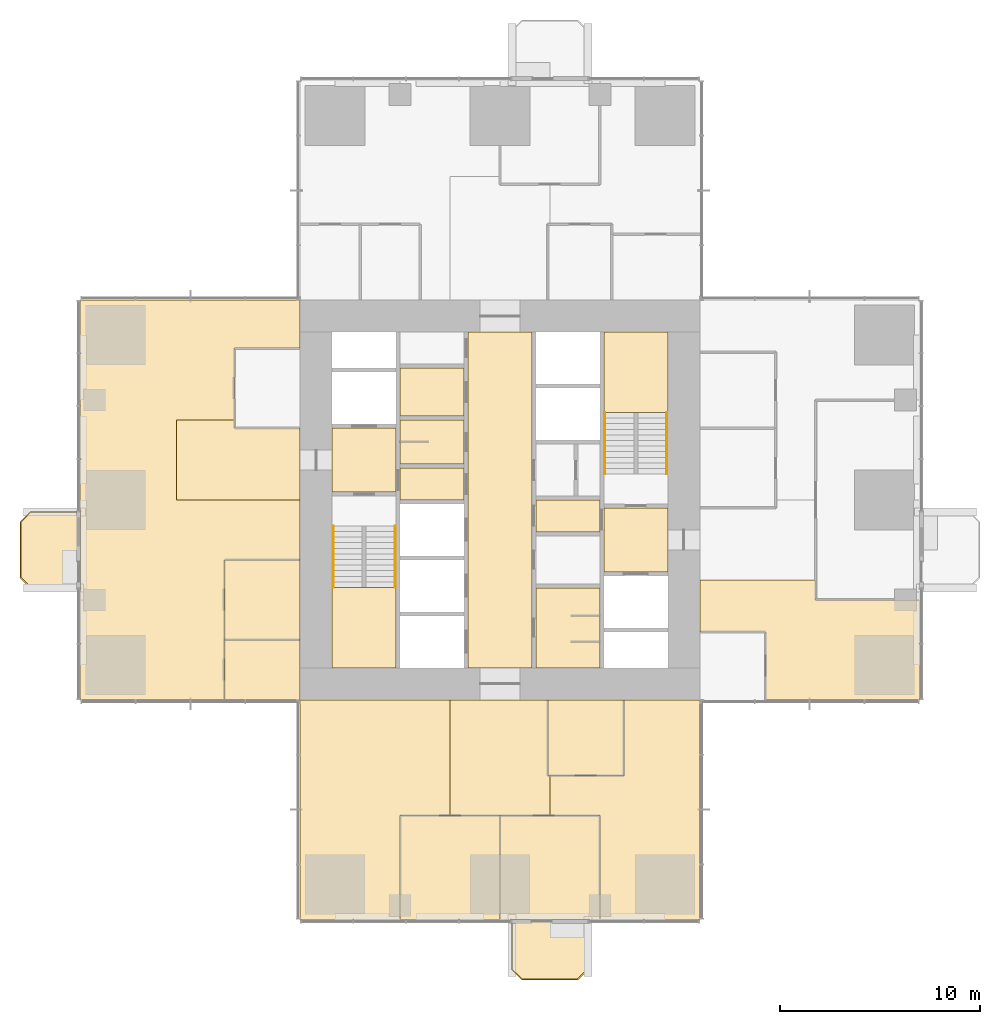
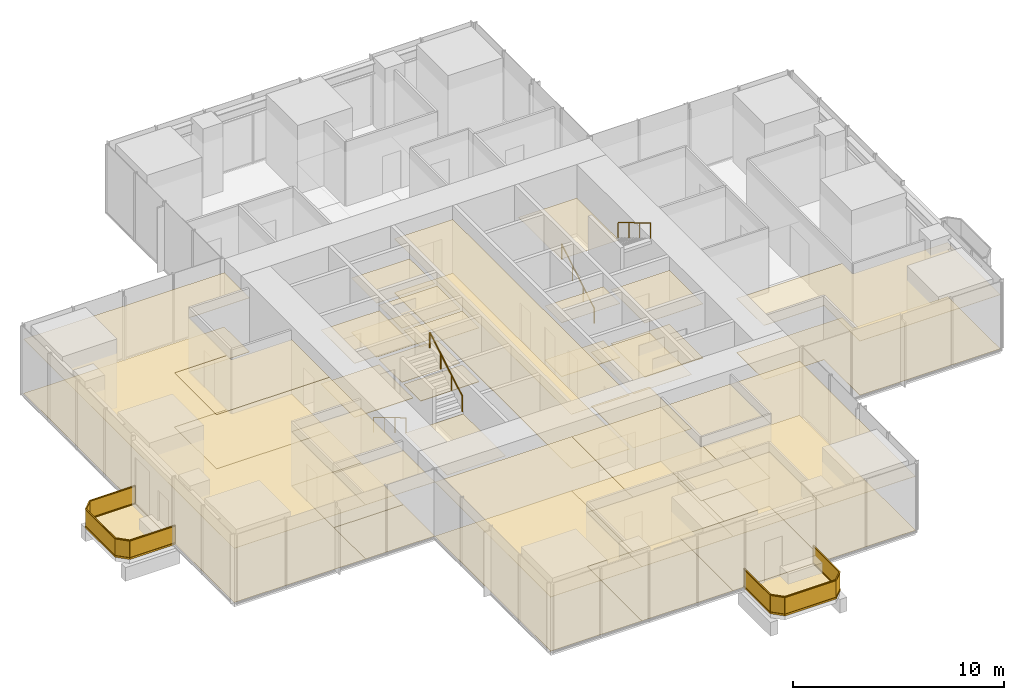
# One storey, part 11 of 13: 42 coverings, 6 railings.
"""IFC4 building model written with IfcOpenShell, lengths in metres."""

from ifc_helpers import new_model, si_unit, direction, frame, origin, origin_2d, place, context, subcontext, project, spatial, polyline, rectangle, circle, outline, extrude, material, layer, layer_set, type_object, element, save


model = new_model("IFC4")

# Units and contexts
model_context = context("Model", 3, precision=1e-05, world=origin(), true_north=direction((0.0, 1.0)))
body_context = subcontext(model_context, "Body", "Model", "MODEL_VIEW")
ifc_project = project(units=[si_unit("LENGTHUNIT", "METRE"), si_unit("AREAUNIT", "SQUARE_METRE"), si_unit("VOLUMEUNIT", "CUBIC_METRE"), si_unit("PLANEANGLEUNIT", "RADIAN"), si_unit("MASSUNIT", "GRAM", prefix="KILO")], contexts=[model_context])

# Site, building, storey
site_placement = place(None, origin())
site = spatial("IfcSite", under=ifc_project, at=site_placement, CompositionType="ELEMENT")
building_placement = place(site_placement, origin())
building = spatial("IfcBuilding", under=site, at=building_placement, Name="Svetlomir Tower", CompositionType="ELEMENT")
storey_placement = place(building_placement, frame((0.0, 0.0, 152.5)))
storey = spatial("IfcBuildingStorey", under=building, at=storey_placement, Name="L36", CompositionType="ELEMENT", Elevation=152.5)

# Railings
ifc_material_1 = material(Name="Bronze anodised aluminium and laminated glass", Category="aluminium")
railing_type_1 = type_object("IfcRailingType", Name="BALCONY GUARD GR1 1100", PredefinedType="GUARDRAIL", material=ifc_material_1)
railing_1_placement = place(storey_placement, frame((21.60009765625, 0.0, 0.0)))
element("IfcRailing", 1, at=railing_1_placement, inside=storey, type_object=railing_type_1, Name="Balcony guard S L36", PredefinedType="GUARDRAIL", context=body_context, shape_type="SweptSolid", body=[
    extrude(rectangle(XDim=0.06005859375, YDim=0.10009765625, at=origin_2d()), frame((0.0, 0.0, 0.050048828125), z_axis=(0.0, -1.0, 0.0), x_axis=(1.0, 0.0, 0.0)), (0.0, 0.0, 1.0), 2.5),
    extrude(rectangle(XDim=0.021484375, YDim=0.960205078125, at=origin_2d()), frame((0.0, 0.0, 0.580078125), z_axis=(0.0, -1.0, 0.0), x_axis=(1.0, 0.0, 0.0)), (0.0, 0.0, 1.0), 2.5),
    extrude(rectangle(XDim=0.06005859375, YDim=0.0400390625, at=origin_2d()), frame((0.0, 0.0, 1.080078125), z_axis=(0.0, -1.0, 0.0), x_axis=(1.0, 0.0, 0.0)), (0.0, 0.0, 1.0), 2.5),
    extrude(rectangle(XDim=0.06005859375, YDim=0.10009765625, at=origin_2d()), frame((0.0, -2.5, 0.050048828125), z_axis=(0.707106781187, -0.707106781187, 0.0), x_axis=(0.707106781187, 0.707106781187, 0.0)), (0.0, 0.0, 1.0), 0.70703125),
    extrude(rectangle(XDim=0.021484375, YDim=0.960205078125, at=origin_2d()), frame((0.0, -2.5, 0.580078125), z_axis=(0.707106781187, -0.707106781187, 0.0), x_axis=(0.707106781187, 0.707106781187, 0.0)), (0.0, 0.0, 1.0), 0.70703125),
    extrude(rectangle(XDim=0.06005859375, YDim=0.0400390625, at=origin_2d()), frame((0.0, -2.5, 1.080078125), z_axis=(0.707106781187, -0.707106781187, 0.0), x_axis=(0.707106781187, 0.707106781187, 0.0)), (0.0, 0.0, 1.0), 0.70703125),
    extrude(rectangle(XDim=0.06005859375, YDim=0.10009765625, at=origin_2d()), frame((0.5, -3.0, 0.050048828125), z_axis=(1.0, 0.0, 0.0), x_axis=(0.0, 1.0, 0.0)), (0.0, 0.0, 1.0), 2.7998046875),
    extrude(rectangle(XDim=0.021484375, YDim=0.960205078125, at=origin_2d()), frame((0.5, -3.0, 0.580078125), z_axis=(1.0, 0.0, 0.0), x_axis=(0.0, 1.0, 0.0)), (0.0, 0.0, 1.0), 2.7998046875),
    extrude(rectangle(XDim=0.06005859375, YDim=0.0400390625, at=origin_2d()), frame((0.5, -3.0, 1.080078125), z_axis=(1.0, 0.0, 0.0), x_axis=(0.0, 1.0, 0.0)), (0.0, 0.0, 1.0), 2.7998046875),
    extrude(rectangle(XDim=0.06005859375, YDim=0.10009765625, at=origin_2d()), frame((3.2998046875, -3.0, 0.050048828125), z_axis=(0.707106781187, 0.707106781187, 0.0), x_axis=(-0.707106781187, 0.707106781187, 0.0)), (0.0, 0.0, 1.0), 0.70703125),
    extrude(rectangle(XDim=0.021484375, YDim=0.960205078125, at=origin_2d()), frame((3.2998046875, -3.0, 0.580078125), z_axis=(0.707106781187, 0.707106781187, 0.0), x_axis=(-0.707106781187, 0.707106781187, 0.0)), (0.0, 0.0, 1.0), 0.70703125),
    extrude(rectangle(XDim=0.06005859375, YDim=0.0400390625, at=origin_2d()), frame((3.2998046875, -3.0, 1.080078125), z_axis=(0.707106781187, 0.707106781187, 0.0), x_axis=(-0.707106781187, 0.707106781187, 0.0)), (0.0, 0.0, 1.0), 0.70703125),
    extrude(rectangle(XDim=0.06005859375, YDim=0.10009765625, at=origin_2d()), frame((3.7998046875, -2.5, 0.050048828125), z_axis=(0.0, 1.0, 0.0), x_axis=(-1.0, 0.0, 0.0)), (0.0, 0.0, 1.0), 2.5),
    extrude(rectangle(XDim=0.021484375, YDim=0.960205078125, at=origin_2d()), frame((3.7998046875, -2.5, 0.580078125), z_axis=(0.0, 1.0, 0.0), x_axis=(-1.0, 0.0, 0.0)), (0.0, 0.0, 1.0), 2.5),
    extrude(rectangle(XDim=0.06005859375, YDim=0.0400390625, at=origin_2d()), frame((3.7998046875, -2.5, 1.080078125), z_axis=(0.0, 1.0, 0.0), x_axis=(-1.0, 0.0, 0.0)), (0.0, 0.0, 1.0), 2.5),
])
railing_2_placement = place(storey_placement, frame((0.0, 20.39990234375, 0.0)))
element("IfcRailing", 2, at=railing_2_placement, inside=storey, type_object=railing_type_1, Name="Balcony guard W L36", PredefinedType="GUARDRAIL", context=body_context, shape_type="SweptSolid", body=[
    extrude(rectangle(XDim=0.06005859375, YDim=0.10009765625, at=origin_2d()), frame((0.0, 0.0, 0.050048828125), z_axis=(-1.0, 0.0, 0.0), x_axis=(0.0, -1.0, 0.0)), (0.0, 0.0, 1.0), 2.5),
    extrude(rectangle(XDim=0.021484375, YDim=0.960205078125, at=origin_2d()), frame((0.0, 0.0, 0.580078125), z_axis=(-1.0, 0.0, 0.0), x_axis=(0.0, -1.0, 0.0)), (0.0, 0.0, 1.0), 2.5),
    extrude(rectangle(XDim=0.06005859375, YDim=0.0400390625, at=origin_2d()), frame((0.0, 0.0, 1.080078125), z_axis=(-1.0, 0.0, 0.0), x_axis=(0.0, -1.0, 0.0)), (0.0, 0.0, 1.0), 2.5),
    extrude(rectangle(XDim=0.06005859375, YDim=0.10009765625, at=origin_2d()), frame((-2.5, 0.0, 0.050048828125), z_axis=(-0.707106781187, -0.707106781187, 0.0), x_axis=(0.707106781187, -0.707106781187, 0.0)), (0.0, 0.0, 1.0), 0.70703125),
    extrude(rectangle(XDim=0.021484375, YDim=0.960205078125, at=origin_2d()), frame((-2.5, 0.0, 0.580078125), z_axis=(-0.707106781187, -0.707106781187, 0.0), x_axis=(0.707106781187, -0.707106781187, 0.0)), (0.0, 0.0, 1.0), 0.70703125),
    extrude(rectangle(XDim=0.06005859375, YDim=0.0400390625, at=origin_2d()), frame((-2.5, 0.0, 1.080078125), z_axis=(-0.707106781187, -0.707106781187, 0.0), x_axis=(0.707106781187, -0.707106781187, 0.0)), (0.0, 0.0, 1.0), 0.70703125),
    extrude(rectangle(XDim=0.06005859375, YDim=0.10009765625, at=origin_2d()), frame((-3.0, -0.5, 0.050048828125), z_axis=(0.0, -1.0, 0.0), x_axis=(1.0, 0.0, 0.0)), (0.0, 0.0, 1.0), 2.7998046875),
    extrude(rectangle(XDim=0.021484375, YDim=0.960205078125, at=origin_2d()), frame((-3.0, -0.5, 0.580078125), z_axis=(0.0, -1.0, 0.0), x_axis=(1.0, 0.0, 0.0)), (0.0, 0.0, 1.0), 2.7998046875),
    extrude(rectangle(XDim=0.06005859375, YDim=0.0400390625, at=origin_2d()), frame((-3.0, -0.5, 1.080078125), z_axis=(0.0, -1.0, 0.0), x_axis=(1.0, 0.0, 0.0)), (0.0, 0.0, 1.0), 2.7998046875),
    extrude(rectangle(XDim=0.06005859375, YDim=0.10009765625, at=origin_2d()), frame((-3.0, -3.2998046875, 0.050048828125), z_axis=(0.707106781187, -0.707106781187, 0.0), x_axis=(0.707106781187, 0.707106781187, 0.0)), (0.0, 0.0, 1.0), 0.70703125),
    extrude(rectangle(XDim=0.021484375, YDim=0.960205078125, at=origin_2d()), frame((-3.0, -3.2998046875, 0.580078125), z_axis=(0.707106781187, -0.707106781187, 0.0), x_axis=(0.707106781187, 0.707106781187, 0.0)), (0.0, 0.0, 1.0), 0.70703125),
    extrude(rectangle(XDim=0.06005859375, YDim=0.0400390625, at=origin_2d()), frame((-3.0, -3.2998046875, 1.080078125), z_axis=(0.707106781187, -0.707106781187, 0.0), x_axis=(0.707106781187, 0.707106781187, 0.0)), (0.0, 0.0, 1.0), 0.70703125),
    extrude(rectangle(XDim=0.06005859375, YDim=0.10009765625, at=origin_2d()), frame((-2.5, -3.7998046875, 0.050048828125), z_axis=(1.0, 0.0, 0.0), x_axis=(0.0, 1.0, 0.0)), (0.0, 0.0, 1.0), 2.5),
    extrude(rectangle(XDim=0.021484375, YDim=0.960205078125, at=origin_2d()), frame((-2.5, -3.7998046875, 0.580078125), z_axis=(1.0, 0.0, 0.0), x_axis=(0.0, 1.0, 0.0)), (0.0, 0.0, 1.0), 2.5),
    extrude(rectangle(XDim=0.06005859375, YDim=0.0400390625, at=origin_2d()), frame((-2.5, -3.7998046875, 1.080078125), z_axis=(1.0, 0.0, 0.0), x_axis=(0.0, 1.0, 0.0)), (0.0, 0.0, 1.0), 2.5),
])

# Coverings
ifc_material_2 = material(Name="Granite paving slabs on pedestals", Category="masonry")
ifc_layer_1 = layer(ifc_material_2, 0.0400390625)
ifc_layer_set_1 = layer_set([ifc_layer_1], Name="Granite paving slabs on pedestals")
covering_type_1 = type_object("IfcCoveringType", Name="BALCONY PAVING 40", PredefinedType="USERDEFINED", material=ifc_layer_set_1)
covering_1_placement = place(storey_placement, origin())
element("IfcCovering", 3, at=covering_1_placement, inside=storey, type_object=covering_type_1, Name="Balcony paving S L36", ObjectType="BALCONY PAVING", PredefinedType="USERDEFINED", context=body_context, shape_type="SweptSolid", body=[
    extrude(outline(polyline([(21.60009765625, -2.5), (22.10009765625, -3.0), (24.89990234375, -3.0), (25.39990234375, -2.5), (25.39990234375, 0.0), (21.60009765625, 0.0), (21.60009765625, -2.5)])), origin(), (0.0, 0.0, 1.0), 0.0400390625),
])
covering_2_placement = place(storey_placement, origin())
element("IfcCovering", 4, at=covering_2_placement, inside=storey, type_object=covering_type_1, Name="Balcony paving W L36", ObjectType="BALCONY PAVING", PredefinedType="USERDEFINED", context=body_context, shape_type="SweptSolid", body=[
    extrude(outline(polyline([(-2.5, 16.60009765625), (0.0, 16.60009765625), (0.0, 20.39990234375), (-2.5, 20.39990234375), (-3.0, 19.89990234375), (-3.0, 17.10009765625), (-2.5, 16.60009765625)])), origin(), (0.0, 0.0, 1.0), 0.0400390625),
])
ifc_material_3 = material(Name="Carpet tile", Category="textile")
ifc_layer_2 = layer(ifc_material_3, 0.010009765625)
ifc_layer_set_2 = layer_set([ifc_layer_2], Name="Carpet tile")
covering_type_2 = type_object("IfcCoveringType", Name="CARPET TILE FLOOR 10", PredefinedType="FLOORING", material=ifc_layer_set_2)
covering_3_placement = place(storey_placement, origin())
element("IfcCovering", 5, at=covering_3_placement, inside=storey, type_object=covering_type_2, Name="Floor finish L36-15", PredefinedType="FLOORING", context=body_context, shape_type="SweptSolid", body=[
    extrude(outline(polyline([(23.39990234375, 7.199951171875), (27.199951171875, 7.199951171875), (27.199951171875, 11.0), (23.39990234375, 11.0), (23.39990234375, 7.199951171875)])), origin(), (0.0, 0.0, 1.0), 0.010009765625),
])
covering_4_placement = place(storey_placement, origin())
element("IfcCovering", 6, at=covering_4_placement, inside=storey, type_object=covering_type_2, Name="Floor finish L36-16", PredefinedType="FLOORING", context=body_context, shape_type="SweptSolid", body=[
    extrude(outline(polyline([(16.0, 0.0), (21.0, 0.0), (21.0, 5.199951171875), (16.0, 5.199951171875), (16.0, 0.0)])), origin(), (0.0, 0.0, 1.0), 0.010009765625),
])
covering_5_placement = place(storey_placement, origin())
element("IfcCovering", 7, at=covering_5_placement, inside=storey, type_object=covering_type_2, Name="Floor finish L36-17", PredefinedType="FLOORING", context=body_context, shape_type="SweptSolid", body=[
    extrude(outline(polyline([(21.0, 0.0), (26.0, 0.0), (26.0, 5.199951171875), (21.0, 5.199951171875), (21.0, 0.0)])), origin(), (0.0, 0.0, 1.0), 0.010009765625),
])
covering_6_placement = place(storey_placement, origin())
element("IfcCovering", 8, at=covering_6_placement, inside=storey, type_object=covering_type_2, Name="Floor finish L36-27", PredefinedType="FLOORING", context=body_context, shape_type="SweptSolid", body=[
    extrude(outline(polyline([(7.199951171875, 11.0), (11.0, 11.0), (11.0, 14.0), (7.199951171875, 14.0), (7.199951171875, 11.0)])), origin(), (0.0, 0.0, 1.0), 0.010009765625),
])
covering_7_placement = place(storey_placement, origin())
element("IfcCovering", 9, at=covering_7_placement, inside=storey, type_object=covering_type_2, Name="Floor finish L36-28", PredefinedType="FLOORING", context=body_context, shape_type="SweptSolid", body=[
    extrude(outline(polyline([(7.199951171875, 14.0), (11.0, 14.0), (11.0, 18.0), (7.199951171875, 18.0), (7.199951171875, 14.0)])), origin(), (0.0, 0.0, 1.0), 0.010009765625),
])
covering_8_placement = place(storey_placement, origin())
element("IfcCovering", 10, at=covering_8_placement, inside=storey, type_object=covering_type_2, Name="Floor finish L36-30", PredefinedType="FLOORING", context=body_context, shape_type="SweptSolid", body=[
    extrude(outline(polyline([(23.39990234375, 11.0), (23.39990234375, 7.199951171875), (23.5, 7.199951171875), (23.5, 5.199951171875), (18.5, 5.199951171875), (18.5, 11.0), (23.39990234375, 11.0)])), origin(), (0.0, 0.0, 1.0), 0.010009765625),
])
covering_9_placement = place(storey_placement, origin())
element("IfcCovering", 11, at=covering_9_placement, inside=storey, type_object=covering_type_2, Name="Floor finish L36-33", PredefinedType="FLOORING", context=body_context, shape_type="SweptSolid", body=[
    extrude(outline(polyline([(7.699951171875, 24.60009765625), (11.0, 24.60009765625), (11.0, 21.0), (4.800048828125, 21.0), (4.800048828125, 25.0), (7.699951171875, 25.0), (7.699951171875, 24.60009765625)])), origin(), (0.0, 0.0, 1.0), 0.010009765625),
])
covering_10_placement = place(storey_placement, origin())
element("IfcCovering", 12, at=covering_10_placement, inside=storey, type_object=covering_type_2, Name="Floor finish L36-34", PredefinedType="FLOORING", context=body_context, shape_type="SweptSolid", body=[
    extrude(outline(polyline([(18.5, 11.0), (18.5, 5.199951171875), (16.0, 5.199951171875), (16.0, 0.0), (11.0, 0.0), (11.0, 11.0), (18.5, 11.0)])), origin(), (0.0, 0.0, 1.0), 0.010009765625),
])
covering_11_placement = place(storey_placement, origin())
element("IfcCovering", 13, at=covering_11_placement, inside=storey, type_object=covering_type_2, Name="Floor finish L36-35", PredefinedType="FLOORING", context=body_context, shape_type="SweptSolid", body=[
    extrude(outline(polyline([(27.199951171875, 11.0), (31.0, 11.0), (31.0, 0.0), (26.0, 0.0), (26.0, 5.199951171875), (23.5, 5.199951171875), (23.5, 7.199951171875), (27.199951171875, 7.199951171875), (27.199951171875, 11.0)])), origin(), (0.0, 0.0, 1.0), 0.010009765625),
])
covering_12_placement = place(storey_placement, origin())
element("IfcCovering", 14, at=covering_12_placement, inside=storey, type_object=covering_type_2, Name="Floor finish L36-36", PredefinedType="FLOORING", context=body_context, shape_type="SweptSolid", body=[
    extrude(outline(polyline([(34.300048828125, 14.39990234375), (31.0, 14.39990234375), (31.0, 17.0), (36.800048828125, 17.0), (36.800048828125, 16.0), (42.0, 16.0), (42.0, 11.0), (34.300048828125, 11.0), (34.300048828125, 14.39990234375)])), origin(), (0.0, 0.0, 1.0), 0.010009765625),
])
covering_13_placement = place(storey_placement, origin())
element("IfcCovering", 15, at=covering_13_placement, inside=storey, type_object=covering_type_2, Name="Floor finish L36-40", PredefinedType="FLOORING", context=body_context, shape_type="SweptSolid", body=[
    extrude(outline(polyline([(11.0, 31.0), (11.0, 28.60009765625), (7.699951171875, 28.60009765625), (7.699951171875, 25.0), (4.800048828125, 25.0), (4.800048828125, 21.0), (11.0, 21.0), (11.0, 18.0), (7.199951171875, 18.0), (7.199951171875, 11.0), (0.0, 11.0), (0.0, 31.0), (11.0, 31.0)])), origin(), (0.0, 0.0, 1.0), 0.010009765625),
])
ifc_material_4 = material(Name="Ceramic floor tile", Category="ceramic")
ifc_layer_3 = layer(ifc_material_4, 0.014892578125)
ifc_layer_set_3 = layer_set([ifc_layer_3], Name="Ceramic floor tile")
covering_type_3 = type_object("IfcCoveringType", Name="CERAMIC TILE FLOOR 15", PredefinedType="FLOORING", material=ifc_layer_set_3)
covering_14_placement = place(storey_placement, origin())
element("IfcCovering", 16, at=covering_14_placement, inside=storey, type_object=covering_type_3, Name="Floor finish L36-04", PredefinedType="FLOORING", context=body_context, shape_type="SweptSolid", body=[
    extrude(outline(polyline([(16.0, 22.800048828125), (19.199951171875, 22.800048828125), (19.199951171875, 25.0), (16.0, 25.0), (16.0, 22.800048828125)])), origin(), (0.0, 0.0, 1.0), 0.014892578125),
])
covering_15_placement = place(storey_placement, origin())
element("IfcCovering", 17, at=covering_15_placement, inside=storey, type_object=covering_type_3, Name="Floor finish L36-05", PredefinedType="FLOORING", context=body_context, shape_type="SweptSolid", body=[
    extrude(outline(polyline([(16.0, 25.199951171875), (19.199951171875, 25.199951171875), (19.199951171875, 27.60009765625), (16.0, 27.60009765625), (16.0, 25.199951171875)])), origin(), (0.0, 0.0, 1.0), 0.014892578125),
])
covering_16_placement = place(storey_placement, origin())
element("IfcCovering", 18, at=covering_16_placement, inside=storey, type_object=covering_type_3, Name="Floor finish L36-08", PredefinedType="FLOORING", context=body_context, shape_type="SweptSolid", body=[
    extrude(outline(polyline([(22.800048828125, 12.60009765625), (26.0, 12.60009765625), (26.0, 16.60009765625), (22.800048828125, 16.60009765625), (22.800048828125, 12.60009765625)])), origin(), (0.0, 0.0, 1.0), 0.014892578125),
])

# Railings
ifc_material_5 = material(Name="Stainless steel", Category="steel")
railing_type_2 = type_object("IfcRailingType", Name="HANDRAIL HR1 900", PredefinedType="HANDRAIL", material=ifc_material_5)
railing_3_placement = place(storey_placement, frame((12.64990234375, 19.699951171875, 0.166748046875)))
element("IfcRailing", 19, at=railing_3_placement, inside=storey, type_object=railing_type_2, Name="Handrail S1 flight 1 L36", PredefinedType="HANDRAIL", context=body_context, shape_type="SweptSolid", body=[
    extrude(circle(Radius=0.02392578125, at=origin_2d()), frame((0.0, 0.0, 0.8759765625), z_axis=(0.0, -0.859290745958, 0.51148745235), x_axis=(1.0, 0.0, 0.0)), (0.0, 0.0, 1.0), 3.584228515625),
    extrude(circle(Radius=0.02099609375, at=origin_2d()), origin(), (0.0, 0.0, 1.0), 0.851806640625),
    extrude(circle(Radius=0.02099609375, at=origin_2d()), frame((0.0, -1.026611328125, 0.611083984375)), (0.0, 0.0, 1.0), 0.851806640625),
    extrude(circle(Radius=0.02099609375, at=origin_2d()), frame((0.0, -2.05322265625, 1.22216796875)), (0.0, 0.0, 1.0), 0.851806640625),
    extrude(circle(Radius=0.02099609375, at=origin_2d()), frame((0.0, -3.079833984375, 1.833251953125)), (0.0, 0.0, 1.0), 0.851806640625),
])
for number, where, name in (
    (20, (15.75, 16.6201171875, 2.166748046875), "Handrail S1 flight 2 L36"),
    (21, (26.25, 22.300048828125, 0.166748046875), "Handrail S2 flight 1 L36"),
):
    element("IfcRailing", number, at=place(storey_placement, frame(where)), inside=storey, type_object=railing_type_2, Name=name, PredefinedType="HANDRAIL", context=body_context, shape_type="SweptSolid", body=[
        extrude(circle(Radius=0.02392578125, at=origin_2d()), frame((0.0, 0.0, 0.8759765625), z_axis=(0.0, 0.859290745958, 0.51148745235), x_axis=(-1.0, 0.0, 0.0)), (0.0, 0.0, 1.0), 3.584228515625),
        extrude(circle(Radius=0.02099609375, at=origin_2d()), origin(), (0.0, 0.0, 1.0), 0.851806640625),
        extrude(circle(Radius=0.02099609375, at=origin_2d()), frame((0.0, 1.026611328125, 0.611083984375)), (0.0, 0.0, 1.0), 0.851806640625),
        extrude(circle(Radius=0.02099609375, at=origin_2d()), frame((0.0, 2.05322265625, 1.22216796875)), (0.0, 0.0, 1.0), 0.851806640625),
        extrude(circle(Radius=0.02099609375, at=origin_2d()), frame((0.0, 3.079833984375, 1.833251953125)), (0.0, 0.0, 1.0), 0.851806640625),
    ])
railing_4_placement = place(storey_placement, frame((29.35009765625, 25.3798828125, 2.166748046875)))
element("IfcRailing", 22, at=railing_4_placement, inside=storey, type_object=railing_type_2, Name="Handrail S2 flight 2 L36", PredefinedType="HANDRAIL", context=body_context, shape_type="SweptSolid", body=[
    extrude(circle(Radius=0.02392578125, at=origin_2d()), frame((0.0, 0.0, 0.8759765625), z_axis=(0.0, -0.859290745958, 0.51148745235), x_axis=(1.0, 0.0, 0.0)), (0.0, 0.0, 1.0), 3.584228515625),
    extrude(circle(Radius=0.02099609375, at=origin_2d()), origin(), (0.0, 0.0, 1.0), 0.851806640625),
    extrude(circle(Radius=0.02099609375, at=origin_2d()), frame((0.0, -1.026611328125, 0.611083984375)), (0.0, 0.0, 1.0), 0.851806640625),
    extrude(circle(Radius=0.02099609375, at=origin_2d()), frame((0.0, -2.05322265625, 1.22216796875)), (0.0, 0.0, 1.0), 0.851806640625),
    extrude(circle(Radius=0.02099609375, at=origin_2d()), frame((0.0, -3.079833984375, 1.833251953125)), (0.0, 0.0, 1.0), 0.851806640625),
])

# Coverings
ifc_material_6 = material(Name="Moisture resistant plasterboard ceiling", Category="gypsum")
ifc_layer_4 = layer(ifc_material_6, 0.012451171875)
ifc_layer_set_4 = layer_set([ifc_layer_4], Name="Moisture resistant plasterboard ceiling")
covering_type_4 = type_object("IfcCoveringType", Name="MOISTURE RESISTANT CEILING 12.5", PredefinedType="CEILING", material=ifc_layer_set_4)
covering_17_placement = place(storey_placement, frame((0.0, 0.0, 3.137451171875)))
element("IfcCovering", 23, at=covering_17_placement, inside=storey, type_object=covering_type_4, Name="Ceiling L36-04", PredefinedType="CEILING", context=body_context, shape_type="SweptSolid", body=[
    extrude(outline(polyline([(16.0, 22.800048828125), (19.199951171875, 22.800048828125), (19.199951171875, 25.0), (16.0, 25.0), (16.0, 22.800048828125)])), origin(), (0.0, 0.0, 1.0), 0.012451171875),
])
covering_18_placement = place(storey_placement, frame((0.0, 0.0, 3.137451171875)))
element("IfcCovering", 24, at=covering_18_placement, inside=storey, type_object=covering_type_4, Name="Ceiling L36-05", PredefinedType="CEILING", context=body_context, shape_type="SweptSolid", body=[
    extrude(outline(polyline([(16.0, 25.199951171875), (19.199951171875, 25.199951171875), (19.199951171875, 27.60009765625), (16.0, 27.60009765625), (16.0, 25.199951171875)])), origin(), (0.0, 0.0, 1.0), 0.012451171875),
])
covering_19_placement = place(storey_placement, frame((0.0, 0.0, 3.137451171875)))
element("IfcCovering", 25, at=covering_19_placement, inside=storey, type_object=covering_type_4, Name="Ceiling L36-08", PredefinedType="CEILING", context=body_context, shape_type="SweptSolid", body=[
    extrude(outline(polyline([(22.800048828125, 12.60009765625), (26.0, 12.60009765625), (26.0, 16.60009765625), (22.800048828125, 16.60009765625), (22.800048828125, 12.60009765625)])), origin(), (0.0, 0.0, 1.0), 0.012451171875),
])
ifc_material_7 = material(Name="Gypsum plasterboard ceiling", Category="gypsum")
ifc_layer_5 = layer(ifc_material_7, 0.014892578125)
ifc_layer_set_5 = layer_set([ifc_layer_5], Name="Gypsum plasterboard ceiling")
covering_type_5 = type_object("IfcCoveringType", Name="PLASTERBOARD CEILING 15", PredefinedType="CEILING", material=ifc_layer_set_5)
covering_20_placement = place(storey_placement, frame((0.0, 0.0, 3.135009765625)))
element("IfcCovering", 26, at=covering_20_placement, inside=storey, type_object=covering_type_5, Name="Ceiling L36-02", PredefinedType="CEILING", context=body_context, shape_type="SweptSolid", body=[
    extrude(outline(polyline([(12.60009765625, 21.39990234375), (15.800048828125, 21.39990234375), (15.800048828125, 24.60009765625), (12.60009765625, 24.60009765625), (12.60009765625, 21.39990234375)])), origin(), (0.0, 0.0, 1.0), 0.014892578125),
])
covering_21_placement = place(storey_placement, frame((0.0, 0.0, 3.135009765625)))
element("IfcCovering", 27, at=covering_21_placement, inside=storey, type_object=covering_type_5, Name="Ceiling L36-03", PredefinedType="CEILING", context=body_context, shape_type="SweptSolid", body=[
    extrude(outline(polyline([(16.0, 21.0), (19.199951171875, 21.0), (19.199951171875, 22.60009765625), (16.0, 22.60009765625), (16.0, 21.0)])), origin(), (0.0, 0.0, 1.0), 0.014892578125),
])
covering_22_placement = place(storey_placement, frame((0.0, 0.0, 3.135009765625)))
element("IfcCovering", 28, at=covering_22_placement, inside=storey, type_object=covering_type_5, Name="Ceiling L36-07", PredefinedType="CEILING", context=body_context, shape_type="SweptSolid", body=[
    extrude(outline(polyline([(19.39990234375, 12.60009765625), (22.60009765625, 12.60009765625), (22.60009765625, 29.39990234375), (19.39990234375, 29.39990234375), (19.39990234375, 12.60009765625)])), origin(), (0.0, 0.0, 1.0), 0.014892578125),
])
covering_23_placement = place(storey_placement, frame((0.0, 0.0, 3.135009765625)))
element("IfcCovering", 29, at=covering_23_placement, inside=storey, type_object=covering_type_5, Name="Ceiling L36-10", PredefinedType="CEILING", context=body_context, shape_type="SweptSolid", body=[
    extrude(outline(polyline([(22.800048828125, 19.39990234375), (26.0, 19.39990234375), (26.0, 21.0), (22.800048828125, 21.0), (22.800048828125, 19.39990234375)])), origin(), (0.0, 0.0, 1.0), 0.014892578125),
])
covering_24_placement = place(storey_placement, frame((0.0, 0.0, 3.135009765625)))
element("IfcCovering", 30, at=covering_24_placement, inside=storey, type_object=covering_type_5, Name="Ceiling L36-11", PredefinedType="CEILING", context=body_context, shape_type="SweptSolid", body=[
    extrude(outline(polyline([(26.199951171875, 17.39990234375), (29.39990234375, 17.39990234375), (29.39990234375, 20.60009765625), (26.199951171875, 20.60009765625), (26.199951171875, 17.39990234375)])), origin(), (0.0, 0.0, 1.0), 0.014892578125),
])
ifc_material_8 = material(Name="Studded rubber floor finish", Category="rubber")
ifc_layer_6 = layer(ifc_material_8, 0.006103515625)
ifc_layer_set_6 = layer_set([ifc_layer_6], Name="Studded rubber floor finish")
covering_type_6 = type_object("IfcCoveringType", Name="RUBBER LANDING FINISH 6", PredefinedType="FLOORING", material=ifc_layer_set_6)
covering_25_placement = place(storey_placement, frame((0.0, 0.0, 2.0)))
element("IfcCovering", 31, at=covering_25_placement, inside=storey, type_object=covering_type_6, Name="Stair S1 landing finish L36", PredefinedType="FLOORING", context=body_context, shape_type="SweptSolid", body=[
    extrude(outline(polyline([(12.60009765625, 12.60009765625), (15.800048828125, 12.60009765625), (15.800048828125, 16.6201171875), (12.60009765625, 16.6201171875), (12.60009765625, 12.60009765625)])), origin(), (0.0, 0.0, 1.0), 0.006103515625),
])
covering_26_placement = place(storey_placement, frame((0.0, 0.0, 2.0)))
element("IfcCovering", 32, at=covering_26_placement, inside=storey, type_object=covering_type_6, Name="Stair S2 landing finish L36", PredefinedType="FLOORING", context=body_context, shape_type="SweptSolid", body=[
    extrude(outline(polyline([(26.199951171875, 25.3798828125), (29.39990234375, 25.3798828125), (29.39990234375, 29.39990234375), (26.199951171875, 29.39990234375), (26.199951171875, 25.3798828125)])), origin(), (0.0, 0.0, 1.0), 0.006103515625),
])
ifc_material_9 = material(Name="Mineral fibre ceiling tile", Category="mineral")
ifc_layer_7 = layer(ifc_material_9, 0.02001953125)
ifc_layer_set_7 = layer_set([ifc_layer_7], Name="Mineral fibre ceiling tile")
covering_type_7 = type_object("IfcCoveringType", Name="SUSPENDED CEILING 20", PredefinedType="CEILING", material=ifc_layer_set_7)
covering_27_placement = place(storey_placement, frame((0.0, 0.0, 3.1298828125)))
element("IfcCovering", 33, at=covering_27_placement, inside=storey, type_object=covering_type_7, Name="Ceiling L36-15", PredefinedType="CEILING", context=body_context, shape_type="SweptSolid", body=[
    extrude(outline(polyline([(23.39990234375, 7.199951171875), (27.199951171875, 7.199951171875), (27.199951171875, 11.0), (23.39990234375, 11.0), (23.39990234375, 7.199951171875)])), origin(), (0.0, 0.0, 1.0), 0.02001953125),
])
covering_28_placement = place(storey_placement, frame((0.0, 0.0, 3.1298828125)))
element("IfcCovering", 34, at=covering_28_placement, inside=storey, type_object=covering_type_7, Name="Ceiling L36-16", PredefinedType="CEILING", context=body_context, shape_type="SweptSolid", body=[
    extrude(outline(polyline([(16.0, 0.0), (21.0, 0.0), (21.0, 5.199951171875), (16.0, 5.199951171875), (16.0, 0.0)])), origin(), (0.0, 0.0, 1.0), 0.02001953125),
])
covering_29_placement = place(storey_placement, frame((0.0, 0.0, 3.1298828125)))
element("IfcCovering", 35, at=covering_29_placement, inside=storey, type_object=covering_type_7, Name="Ceiling L36-17", PredefinedType="CEILING", context=body_context, shape_type="SweptSolid", body=[
    extrude(outline(polyline([(21.0, 0.0), (26.0, 0.0), (26.0, 5.199951171875), (21.0, 5.199951171875), (21.0, 0.0)])), origin(), (0.0, 0.0, 1.0), 0.02001953125),
])
covering_30_placement = place(storey_placement, frame((0.0, 0.0, 3.1298828125)))
element("IfcCovering", 36, at=covering_30_placement, inside=storey, type_object=covering_type_7, Name="Ceiling L36-27", PredefinedType="CEILING", context=body_context, shape_type="SweptSolid", body=[
    extrude(outline(polyline([(7.199951171875, 11.0), (11.0, 11.0), (11.0, 14.0), (7.199951171875, 14.0), (7.199951171875, 11.0)])), origin(), (0.0, 0.0, 1.0), 0.02001953125),
])
covering_31_placement = place(storey_placement, frame((0.0, 0.0, 3.1298828125)))
element("IfcCovering", 37, at=covering_31_placement, inside=storey, type_object=covering_type_7, Name="Ceiling L36-28", PredefinedType="CEILING", context=body_context, shape_type="SweptSolid", body=[
    extrude(outline(polyline([(7.199951171875, 14.0), (11.0, 14.0), (11.0, 18.0), (7.199951171875, 18.0), (7.199951171875, 14.0)])), origin(), (0.0, 0.0, 1.0), 0.02001953125),
])
covering_32_placement = place(storey_placement, frame((0.0, 0.0, 3.1298828125)))
element("IfcCovering", 38, at=covering_32_placement, inside=storey, type_object=covering_type_7, Name="Ceiling L36-30", PredefinedType="CEILING", context=body_context, shape_type="SweptSolid", body=[
    extrude(outline(polyline([(23.39990234375, 11.0), (23.39990234375, 7.199951171875), (23.5, 7.199951171875), (23.5, 5.199951171875), (18.5, 5.199951171875), (18.5, 11.0), (23.39990234375, 11.0)])), origin(), (0.0, 0.0, 1.0), 0.02001953125),
])
covering_33_placement = place(storey_placement, frame((0.0, 0.0, 3.1298828125)))
element("IfcCovering", 39, at=covering_33_placement, inside=storey, type_object=covering_type_7, Name="Ceiling L36-33", PredefinedType="CEILING", context=body_context, shape_type="SweptSolid", body=[
    extrude(outline(polyline([(7.699951171875, 24.60009765625), (11.0, 24.60009765625), (11.0, 21.0), (4.800048828125, 21.0), (4.800048828125, 25.0), (7.699951171875, 25.0), (7.699951171875, 24.60009765625)])), origin(), (0.0, 0.0, 1.0), 0.02001953125),
])
covering_34_placement = place(storey_placement, frame((0.0, 0.0, 3.1298828125)))
element("IfcCovering", 40, at=covering_34_placement, inside=storey, type_object=covering_type_7, Name="Ceiling L36-34", PredefinedType="CEILING", context=body_context, shape_type="SweptSolid", body=[
    extrude(outline(polyline([(18.5, 11.0), (18.5, 5.199951171875), (16.0, 5.199951171875), (16.0, 0.0), (11.0, 0.0), (11.0, 11.0), (18.5, 11.0)])), origin(), (0.0, 0.0, 1.0), 0.02001953125),
])
covering_35_placement = place(storey_placement, frame((0.0, 0.0, 3.1298828125)))
element("IfcCovering", 41, at=covering_35_placement, inside=storey, type_object=covering_type_7, Name="Ceiling L36-35", PredefinedType="CEILING", context=body_context, shape_type="SweptSolid", body=[
    extrude(outline(polyline([(27.199951171875, 11.0), (31.0, 11.0), (31.0, 0.0), (26.0, 0.0), (26.0, 5.199951171875), (23.5, 5.199951171875), (23.5, 7.199951171875), (27.199951171875, 7.199951171875), (27.199951171875, 11.0)])), origin(), (0.0, 0.0, 1.0), 0.02001953125),
])
covering_36_placement = place(storey_placement, frame((0.0, 0.0, 3.1298828125)))
element("IfcCovering", 42, at=covering_36_placement, inside=storey, type_object=covering_type_7, Name="Ceiling L36-36", PredefinedType="CEILING", context=body_context, shape_type="SweptSolid", body=[
    extrude(outline(polyline([(34.300048828125, 14.39990234375), (31.0, 14.39990234375), (31.0, 17.0), (36.800048828125, 17.0), (36.800048828125, 16.0), (42.0, 16.0), (42.0, 11.0), (34.300048828125, 11.0), (34.300048828125, 14.39990234375)])), origin(), (0.0, 0.0, 1.0), 0.02001953125),
])
covering_37_placement = place(storey_placement, frame((0.0, 0.0, 3.1298828125)))
element("IfcCovering", 43, at=covering_37_placement, inside=storey, type_object=covering_type_7, Name="Ceiling L36-40", PredefinedType="CEILING", context=body_context, shape_type="SweptSolid", body=[
    extrude(outline(polyline([(11.0, 31.0), (11.0, 28.60009765625), (7.699951171875, 28.60009765625), (7.699951171875, 25.0), (4.800048828125, 25.0), (4.800048828125, 21.0), (11.0, 21.0), (11.0, 18.0), (7.199951171875, 18.0), (7.199951171875, 11.0), (0.0, 11.0), (0.0, 31.0), (11.0, 31.0)])), origin(), (0.0, 0.0, 1.0), 0.02001953125),
])
ifc_material_10 = material(Name="Bronze-aggregate terrazzo", Category="stone")
ifc_layer_8 = layer(ifc_material_10, 0.030029296875)
ifc_layer_set_8 = layer_set([ifc_layer_8], Name="Bronze-aggregate terrazzo")
covering_type_8 = type_object("IfcCoveringType", Name="TERRAZZO FLOOR 30", PredefinedType="FLOORING", material=ifc_layer_set_8)
covering_38_placement = place(storey_placement, origin())
element("IfcCovering", 44, at=covering_38_placement, inside=storey, type_object=covering_type_8, Name="Floor finish L36-02", PredefinedType="FLOORING", context=body_context, shape_type="SweptSolid", body=[
    extrude(outline(polyline([(12.60009765625, 21.39990234375), (15.800048828125, 21.39990234375), (15.800048828125, 24.60009765625), (12.60009765625, 24.60009765625), (12.60009765625, 21.39990234375)])), origin(), (0.0, 0.0, 1.0), 0.030029296875),
])
covering_39_placement = place(storey_placement, origin())
element("IfcCovering", 45, at=covering_39_placement, inside=storey, type_object=covering_type_8, Name="Floor finish L36-03", PredefinedType="FLOORING", context=body_context, shape_type="SweptSolid", body=[
    extrude(outline(polyline([(16.0, 21.0), (19.199951171875, 21.0), (19.199951171875, 22.60009765625), (16.0, 22.60009765625), (16.0, 21.0)])), origin(), (0.0, 0.0, 1.0), 0.030029296875),
])
covering_40_placement = place(storey_placement, origin())
element("IfcCovering", 46, at=covering_40_placement, inside=storey, type_object=covering_type_8, Name="Floor finish L36-07", PredefinedType="FLOORING", context=body_context, shape_type="SweptSolid", body=[
    extrude(outline(polyline([(19.39990234375, 12.60009765625), (22.60009765625, 12.60009765625), (22.60009765625, 29.39990234375), (19.39990234375, 29.39990234375), (19.39990234375, 12.60009765625)])), origin(), (0.0, 0.0, 1.0), 0.030029296875),
])
covering_41_placement = place(storey_placement, origin())
element("IfcCovering", 47, at=covering_41_placement, inside=storey, type_object=covering_type_8, Name="Floor finish L36-10", PredefinedType="FLOORING", context=body_context, shape_type="SweptSolid", body=[
    extrude(outline(polyline([(22.800048828125, 19.39990234375), (26.0, 19.39990234375), (26.0, 21.0), (22.800048828125, 21.0), (22.800048828125, 19.39990234375)])), origin(), (0.0, 0.0, 1.0), 0.030029296875),
])
covering_42_placement = place(storey_placement, origin())
element("IfcCovering", 48, at=covering_42_placement, inside=storey, type_object=covering_type_8, Name="Floor finish L36-11", PredefinedType="FLOORING", context=body_context, shape_type="SweptSolid", body=[
    extrude(outline(polyline([(26.199951171875, 17.39990234375), (29.39990234375, 17.39990234375), (29.39990234375, 20.60009765625), (26.199951171875, 20.60009765625), (26.199951171875, 17.39990234375)])), origin(), (0.0, 0.0, 1.0), 0.030029296875),
])

save(model, "model.ifc")
